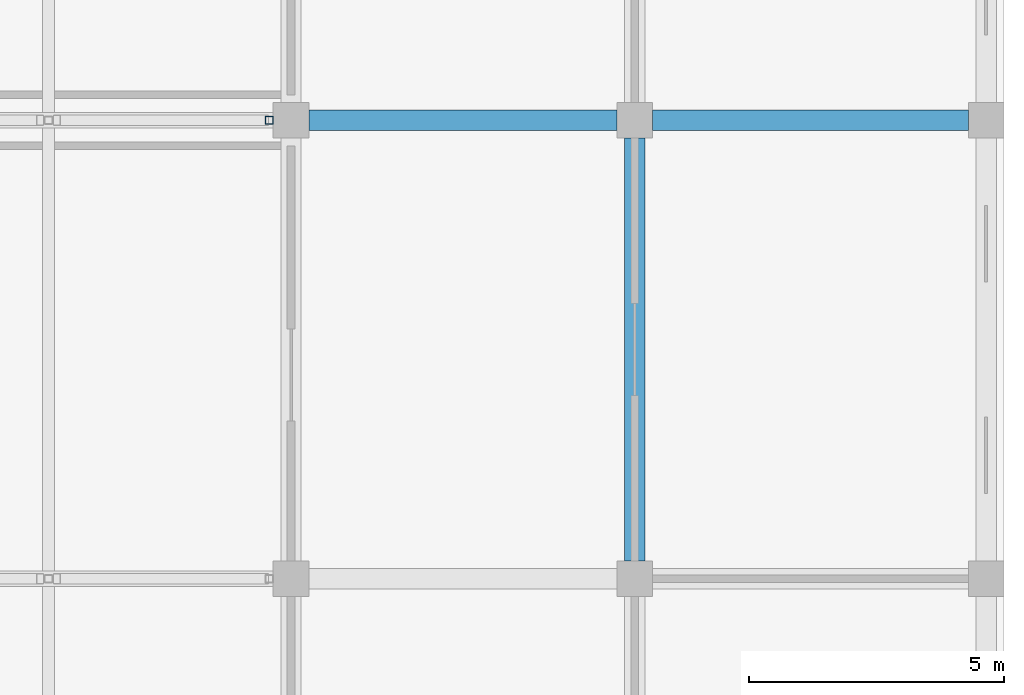
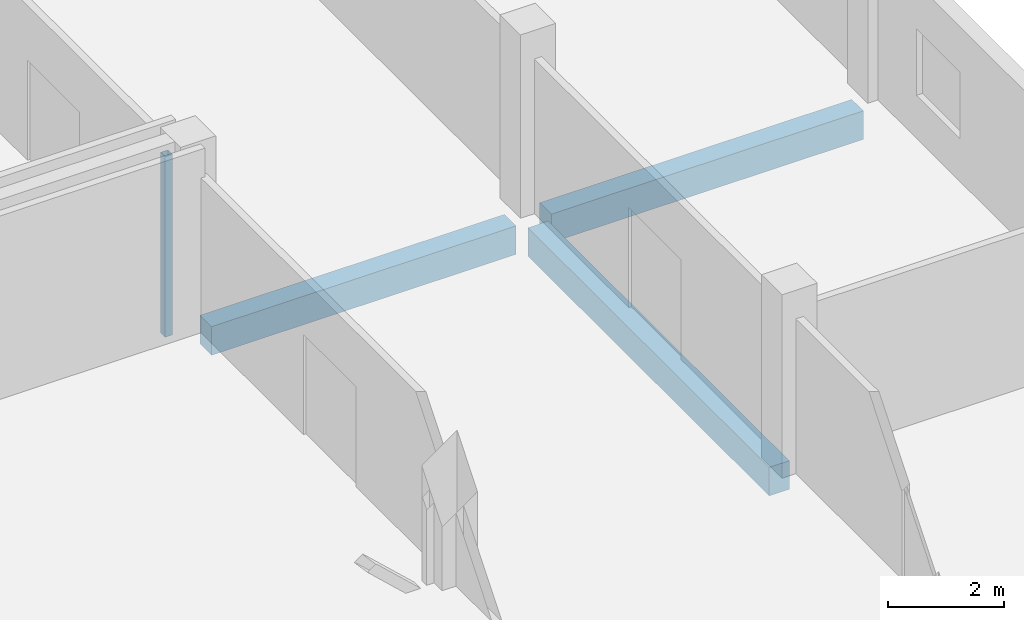
# One storey, part 20 of 42: 3 beams, 1 member.
"""IFC4 building model written with IfcOpenShell, lengths in metres."""

from ifc_helpers import new_model, si_unit, direction, frame, origin, origin_2d, place, context, subcontext, project, spatial, rectangle, hollow_rectangle, extrude, material, material_profile, profile_set, type_object, element, save


model = new_model("IFC4")

# Units and contexts
model_context = context("Model", 3, precision=1e-05, world=origin(), true_north=direction((0.0, 1.0)))
body_context = subcontext(model_context, "Body", "Model", "MODEL_VIEW")
ifc_project = project(units=[si_unit("LENGTHUNIT", "METRE"), si_unit("AREAUNIT", "SQUARE_METRE"), si_unit("VOLUMEUNIT", "CUBIC_METRE"), si_unit("PLANEANGLEUNIT", "RADIAN"), si_unit("MASSUNIT", "GRAM", prefix="KILO")], contexts=[model_context])

# Site, building, storey
site_placement = place(None, origin())
site = spatial("IfcSite", under=ifc_project, at=site_placement, CompositionType="ELEMENT")
building_placement = place(site_placement, origin())
building = spatial("IfcBuilding", under=site, at=building_placement, Name="Corbel Stack Research Tower", CompositionType="ELEMENT")
storey_placement = place(building_placement, frame((0.0, 0.0, 11.300048828125)))
storey = spatial("IfcBuildingStorey", under=building, at=storey_placement, Name="L02", CompositionType="ELEMENT", Elevation=11.300048828125)

# Beams
ifc_material_1 = material(Name="Concrete C40/50", Category="concrete")
ifc_material_profile_1 = material_profile(ifc_material_1, rectangle(XDim=0.39990234375, YDim=0.60009765625, at=origin_2d()), Name="RC 400 x 600")
ifc_profile_set_1 = profile_set([ifc_material_profile_1], Name="Concrete C40/50")
beam_type = type_object("IfcBeamType", Name="HB1 RC beam 400 x 600", PredefinedType="BEAM", material=ifc_profile_set_1)
beam_1_placement = place(storey_placement, frame((87.300048828125, 9.0, -0.550048828125), z_axis=(1.0, 0.0, 0.0), x_axis=(0.0, 1.0, 0.0)))
element("IfcBeam", 1, at=beam_1_placement, inside=storey, type_object=beam_type, Name="Floor beam L02 H7HE-H8HE", PredefinedType="BEAM", context=body_context, shape_type="SweptSolid", body=[
    extrude(rectangle(XDim=0.39990234375, YDim=0.60009765625, at=origin_2d()), origin(), (0.0, 0.0, 1.0), 6.050048828125),
])
beam_2_placement = place(storey_placement, frame((93.699951171875, 0.35009765625, -0.550048828125), z_axis=(0.0, 1.0, 0.0), x_axis=(-1.0, 0.0, 0.0)))
element("IfcBeam", 2, at=beam_2_placement, inside=storey, type_object=beam_type, Name="Floor beam L02 H8HD-H8HE", PredefinedType="BEAM", context=body_context, shape_type="SweptSolid", body=[
    extrude(rectangle(XDim=0.39990234375, YDim=0.60009765625, at=origin_2d()), origin(), (0.0, 0.0, 1.0), 8.2998046875),
])
beam_3_placement = place(storey_placement, frame((94.050048828125, 9.0, -0.550048828125), z_axis=(1.0, 0.0, 0.0), x_axis=(0.0, 1.0, 0.0)))
element("IfcBeam", 3, at=beam_3_placement, inside=storey, type_object=beam_type, Name="Floor beam L02 H8HE-H9HE", PredefinedType="BEAM", context=body_context, shape_type="SweptSolid", body=[
    extrude(rectangle(XDim=0.39990234375, YDim=0.60009765625, at=origin_2d()), origin(), (0.0, 0.0, 1.0), 6.199951171875),
])

# Member
ifc_material_2 = material(Name="Steel S355", Category="steel")
ifc_material_profile_2 = material_profile(ifc_material_2, hollow_rectangle(XDim=0.152099609375, YDim=0.152099609375, WallThickness=0.005859375, at=origin_2d()), Name="HSS6x6x1/4")
ifc_profile_set_2 = profile_set([ifc_material_profile_2], Name="Steel S355")
member_type = type_object("IfcMemberType", Name="HT3 truss post HSS6x6x1/4", PredefinedType="POST", material=ifc_profile_set_2)
member_placement = place(storey_placement, frame((86.52392578125, 9.0, -0.25), z_axis=(0.0, 0.0, 1.0), x_axis=(1.0, 0.0, 0.0)))
element("IfcMember", 4, at=member_placement, inside=storey, type_object=member_type, Name="Truss TA3 post 9", PredefinedType="POST", context=body_context, shape_type="SweptSolid", body=[
    extrude(hollow_rectangle(XDim=0.152099609375, YDim=0.152099609375, WallThickness=0.005859375, at=origin_2d()), origin(), (0.0, 0.0, 1.0), 3.794921875),
])

save(model, "model.ifc")
